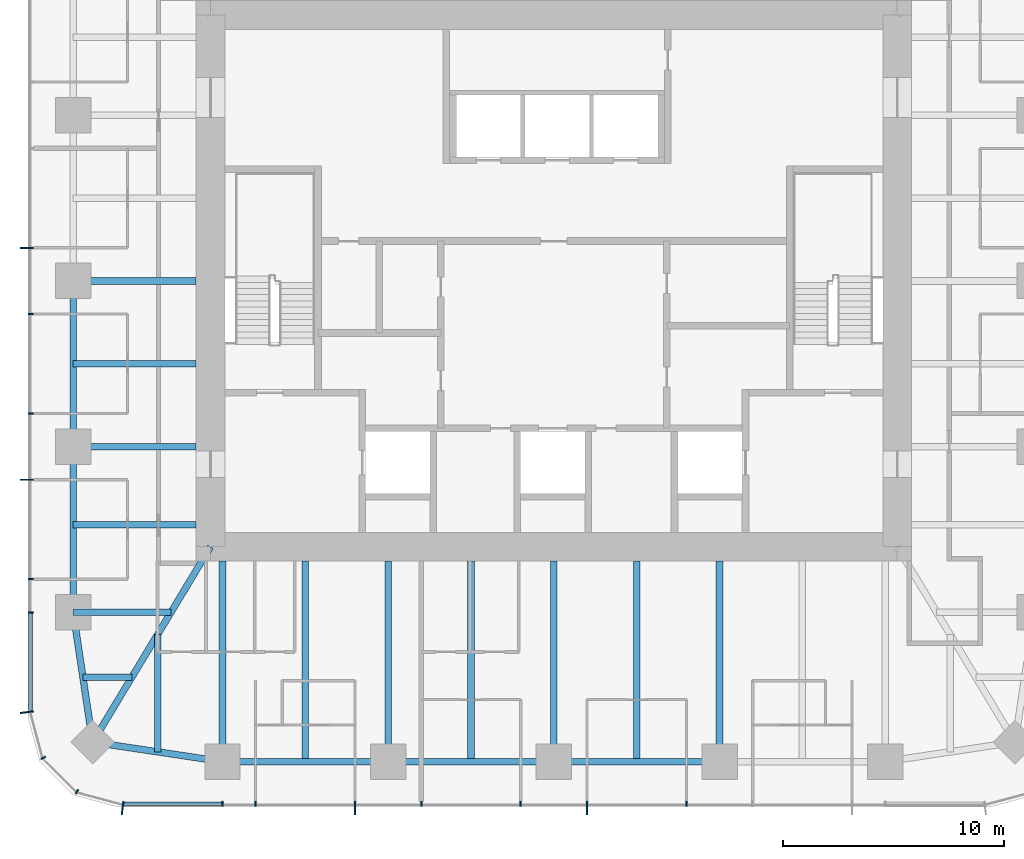
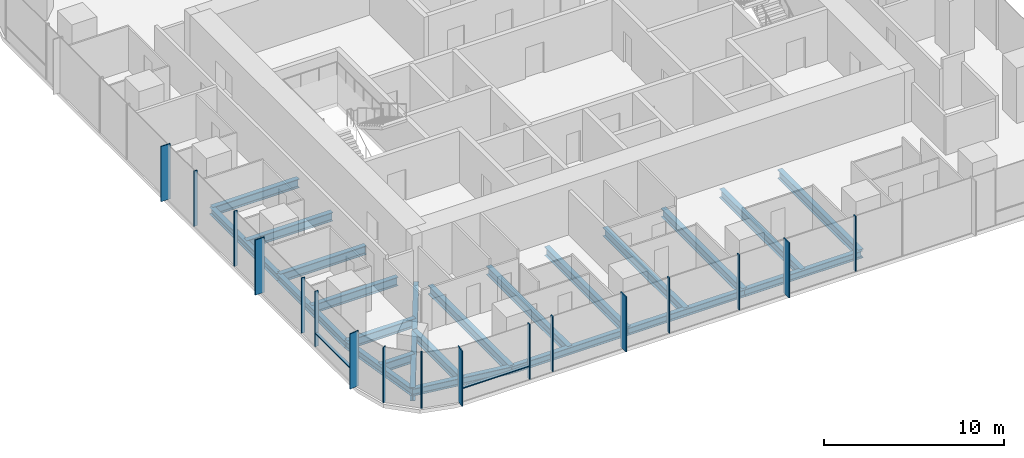
# One storey, part 2 of 12: 22 beams, 19 members, 3 elements without a shape of their own.
"""IFC4 building model written with IfcOpenShell, lengths in metres."""

from ifc_helpers import new_model, si_unit, direction, frame, origin, origin_2d, place, context, subcontext, project, spatial, rectangle, i_section, extrude, material, material_profile, profile_set, type_object, element, aggregate, save


model = new_model("IFC4")

# Units and contexts
model_context = context("Model", 3, precision=1e-05, world=origin(), true_north=direction((0.0, 1.0)))
body_context = subcontext(model_context, "Body", "Model", "MODEL_VIEW")
ifc_project = project(units=[si_unit("LENGTHUNIT", "METRE"), si_unit("AREAUNIT", "SQUARE_METRE"), si_unit("VOLUMEUNIT", "CUBIC_METRE"), si_unit("PLANEANGLEUNIT", "RADIAN"), si_unit("MASSUNIT", "GRAM", prefix="KILO")], contexts=[model_context])

# Site, building, storey
site_placement = place(None, origin())
site = spatial("IfcSite", under=ifc_project, at=site_placement, CompositionType="ELEMENT")
building_placement = place(site_placement, origin())
building = spatial("IfcBuilding", under=site, at=building_placement, Name="Khuree Lantern Residences", CompositionType="ELEMENT")
storey_placement = place(building_placement, frame((0.0, 0.0, 300.75)))
storey = spatial("IfcBuildingStorey", under=building, at=storey_placement, Name="L75", CompositionType="ELEMENT", Elevation=300.75)

# Beams
ifc_material_1 = material(Name="Steel S355", Category="steel")
ifc_material_profile_1 = material_profile(ifc_material_1, i_section(OverallWidth=0.300048828125, OverallDepth=0.590087890625, WebThickness=0.012939453125, FlangeThickness=0.02490234375, FilletRadius=0.027099609375, at=origin_2d()), Name="HE 600 A")
ifc_profile_set_1 = profile_set([ifc_material_profile_1], Name="Steel S355")
beam_type_1 = type_object("IfcBeamType", Name="B-42 SECONDARY BEAM HE 600 A", PredefinedType="BEAM", material=ifc_profile_set_1)
for number, where, z_axis, x_axis, name in (
    (1, (3.739990234375, -21.699951171875, -0.544921875), (0.0, 1.0, 0.0), (-1.0, 0.0, 0.0), "Secondary beam S3"),
    (2, (-3.739990234375, -21.699951171875, -0.544921875), (0.0, 1.0, 0.0), (-1.0, 0.0, 0.0), "Secondary beam S4"),
    (3, (-11.219970703125, -21.699951171875, -0.544921875), (0.0, 1.0, 0.0), (-1.0, 0.0, 0.0), "Secondary beam S5"),
):
    element("IfcBeam", number, at=place(storey_placement, frame(where, z_axis=z_axis, x_axis=x_axis)), inside=storey, type_object=beam_type_1, Name=name, PredefinedType="BEAM", context=body_context, shape_type="SweptSolid", body=[
        extrude(i_section(OverallWidth=0.300048828125, OverallDepth=0.590087890625, WebThickness=0.012939453125, FlangeThickness=0.02490234375, FilletRadius=0.027099609375, at=origin_2d()), origin(), (0.0, 0.0, 1.0), 9.050048828125),
    ])
beam_1_placement = place(storey_placement, frame((-17.890625, -21.2607421875, -0.544921875), z_axis=(0.0, 1.0, 0.0), x_axis=(-1.0, 0.0, 0.0)))
element("IfcBeam", 4, at=beam_1_placement, inside=storey, type_object=beam_type_1, Name="Secondary beam S6", PredefinedType="BEAM", context=body_context, shape_type="SweptSolid", body=[
    extrude(i_section(OverallWidth=0.300048828125, OverallDepth=0.590087890625, WebThickness=0.012939453125, FlangeThickness=0.02490234375, FilletRadius=0.027099609375, at=origin_2d()), origin(), (0.0, 0.0, 1.0), 5.297607421875),
])
beam_2_placement = place(storey_placement, frame((-21.2607421875, -17.890625, -0.544921875), z_axis=(1.0, 0.0, 0.0), x_axis=(0.0, 1.0, 0.0)))
element("IfcBeam", 5, at=beam_2_placement, inside=storey, type_object=beam_type_1, Name="Secondary beam W1", PredefinedType="BEAM", context=body_context, shape_type="SweptSolid", body=[
    extrude(i_section(OverallWidth=0.300048828125, OverallDepth=0.590087890625, WebThickness=0.012939453125, FlangeThickness=0.02490234375, FilletRadius=0.027099609375, at=origin_2d()), origin(), (0.0, 0.0, 1.0), 2.207275390625),
])
for number, where, z_axis, x_axis, name in (
    (6, (-21.699951171875, -11.0, -0.544921875), (1.0, 0.0, 0.0), (0.0, 1.0, 0.0), "Secondary beam W2"),
    (7, (-21.699951171875, -3.739990234375, -0.544921875), (1.0, 0.0, 0.0), (0.0, 1.0, 0.0), "Secondary beam W3"),
):
    element("IfcBeam", number, at=place(storey_placement, frame(where, z_axis=z_axis, x_axis=x_axis)), inside=storey, type_object=beam_type_1, Name=name, PredefinedType="BEAM", context=body_context, shape_type="SweptSolid", body=[
        extrude(i_section(OverallWidth=0.300048828125, OverallDepth=0.590087890625, WebThickness=0.012939453125, FlangeThickness=0.02490234375, FilletRadius=0.027099609375, at=origin_2d()), origin(), (0.0, 0.0, 1.0), 5.550048828125),
    ])
ifc_material_profile_2 = material_profile(ifc_material_1, i_section(OverallWidth=0.300048828125, OverallDepth=0.489990234375, WebThickness=0.011962890625, FlangeThickness=0.02294921875, FilletRadius=0.027099609375, at=origin_2d()), Name="HE 500 A")
ifc_profile_set_2 = profile_set([ifc_material_profile_2], Name="Steel S355")
beam_type_2 = type_object("IfcBeamType", Name="E-42 SPANDREL BEAM HE 500 A", PredefinedType="SPANDREL", material=ifc_profile_set_2)
for number, where, z_axis, x_axis, name in (
    (8, (7.47998046875, -21.699951171875, -0.4951171875), (-1.0, 0.0, 0.0), (0.0, -1.0, 0.0), "Spandrel beam S3"),
    (9, (0.0, -21.699951171875, -0.4951171875), (-1.0, 0.0, 0.0), (0.0, -1.0, 0.0), "Spandrel beam S4"),
    (10, (-7.47998046875, -21.699951171875, -0.4951171875), (-1.0, 0.0, 0.0), (0.0, -1.0, 0.0), "Spandrel beam S5"),
):
    element("IfcBeam", number, at=place(storey_placement, frame(where, z_axis=z_axis, x_axis=x_axis)), inside=storey, type_object=beam_type_2, Name=name, PredefinedType="SPANDREL", context=body_context, shape_type="SweptSolid", body=[
        extrude(i_section(OverallWidth=0.300048828125, OverallDepth=0.489990234375, WebThickness=0.011962890625, FlangeThickness=0.02294921875, FilletRadius=0.027099609375, at=origin_2d()), origin(), (0.0, 0.0, 1.0), 7.47998046875),
    ])
for number, where, z_axis, x_axis, name in (
    (11, (-14.9599609375, -21.699951171875, -0.4951171875), (-0.988949643299, 0.148251822985, 0.0), (-0.148251822985, -0.988949643299, 0.0), "Spandrel beam S6"),
    (12, (-20.8212890625, -20.8212890625, -0.4951171875), (-0.148251822985, 0.988949643299, 0.0), (-0.988949643299, -0.148251822985, 0.0), "Spandrel beam W1"),
):
    element("IfcBeam", number, at=place(storey_placement, frame(where, z_axis=z_axis, x_axis=x_axis)), inside=storey, type_object=beam_type_2, Name=name, PredefinedType="SPANDREL", context=body_context, shape_type="SweptSolid", body=[
        extrude(i_section(OverallWidth=0.300048828125, OverallDepth=0.489990234375, WebThickness=0.011962890625, FlangeThickness=0.02294921875, FilletRadius=0.027099609375, at=origin_2d()), origin(), (0.0, 0.0, 1.0), 5.9267578125),
    ])
for number, where, z_axis, x_axis, name in (
    (13, (-21.699951171875, -14.9599609375, -0.4951171875), (0.0, 1.0, 0.0), (-1.0, 0.0, 0.0), "Spandrel beam W2"),
    (14, (-21.699951171875, -7.47998046875, -0.4951171875), (0.0, 1.0, 0.0), (-1.0, 0.0, 0.0), "Spandrel beam W3"),
):
    element("IfcBeam", number, at=place(storey_placement, frame(where, z_axis=z_axis, x_axis=x_axis)), inside=storey, type_object=beam_type_2, Name=name, PredefinedType="SPANDREL", context=body_context, shape_type="SweptSolid", body=[
        extrude(i_section(OverallWidth=0.300048828125, OverallDepth=0.489990234375, WebThickness=0.011962890625, FlangeThickness=0.02294921875, FilletRadius=0.027099609375, at=origin_2d()), origin(), (0.0, 0.0, 1.0), 7.47998046875),
    ])

# Curtain wall, members
ifc_material_2 = material(Name="Bronze anodised aluminium", Category="aluminium")
curtain_wall_type_1 = type_object("IfcCurtainWallType", Name="CW-T1 TOWER FACE CURTAIN WALL", PredefinedType="USERDEFINED", material=ifc_material_2)
curtain_wall_1_placement = place(storey_placement, origin())
curtain_wall_1 = element("IfcCurtainWall", 15, at=curtain_wall_1_placement, inside=storey, type_object=curtain_wall_type_1, Name="L75 WEST FACE CURTAIN WALL", ObjectType="Stick-built curtain wall", PredefinedType="USERDEFINED")
ifc_material_profile_3 = material_profile(ifc_material_2, rectangle(XDim=0.06494140625, YDim=0.60009765625, at=origin_2d()), Name="F1 65X600")
ifc_profile_set_3 = profile_set([ifc_material_profile_3], Name="Bronze anodised aluminium")
member_type_1 = type_object("IfcMemberType", Name="F1 BRONZE FIN MULLION TOWER 65X600", PredefinedType="MULLION", material=ifc_profile_set_3)
member_1_placement = place(storey_placement, frame((-23.800048828125, 1.49609375, 0.0), z_axis=(0.0, 0.0, 1.0), x_axis=(0.0, -1.0, 0.0)))
member_1 = element("IfcMember", 16, at=member_1_placement, type_object=member_type_1, Name="L75 WEST FACE FIN MULLION 37", PredefinedType="MULLION", context=body_context, shape_type="SweptSolid", body=[
    extrude(rectangle(XDim=0.06494140625, YDim=0.60009765625, at=origin_2d()), origin(), (0.0, 0.0, 1.0), 3.75),
])
member_2_placement = place(storey_placement, frame((-23.800048828125, -8.97607421875, 0.0), z_axis=(0.0, 0.0, 1.0), x_axis=(0.0, -1.0, 0.0)))
member_2 = element("IfcMember", 17, at=member_2_placement, type_object=member_type_1, Name="L75 WEST FACE FIN MULLION 40", PredefinedType="MULLION", context=body_context, shape_type="SweptSolid", body=[
    extrude(rectangle(XDim=0.06494140625, YDim=0.60009765625, at=origin_2d()), origin(), (0.0, 0.0, 1.0), 3.75),
])

# Curtain wall, member
curtain_wall_type_2 = type_object("IfcCurtainWallType", Name="CW-T2 TOWER CORNER CURTAIN WALL", PredefinedType="USERDEFINED", material=ifc_material_2)
curtain_wall_2_placement = place(storey_placement, origin())
curtain_wall_2 = element("IfcCurtainWall", 18, at=curtain_wall_2_placement, inside=storey, type_object=curtain_wall_type_2, Name="L75 SOUTH-WEST CORNER CURTAIN WALL", ObjectType="Faceted corner curtain wall", PredefinedType="USERDEFINED")
member_3_placement = place(storey_placement, frame((-23.800048828125, -19.4697265625, 0.0), z_axis=(0.0, 0.0, 1.0), x_axis=(0.130526125236, -0.991444870192, 0.0)))
member_3 = element("IfcMember", 19, at=member_3_placement, type_object=member_type_1, Name="L75 SOUTH-WEST CORNER FIN MULLION 43", PredefinedType="MULLION", context=body_context, shape_type="SweptSolid", body=[
    extrude(rectangle(XDim=0.06494140625, YDim=0.60009765625, at=origin_2d()), origin(), (0.0, 0.0, 1.0), 3.75),
])

# Curtain wall, members
curtain_wall_3_placement = place(storey_placement, origin())
curtain_wall_3 = element("IfcCurtainWall", 20, at=curtain_wall_3_placement, inside=storey, type_object=curtain_wall_type_1, Name="L75 SOUTH FACE CURTAIN WALL", ObjectType="Stick-built curtain wall", PredefinedType="USERDEFINED")
member_4_placement = place(storey_placement, frame((-19.4697265625, -23.800048828125, 0.0), z_axis=(0.0, 0.0, 1.0), x_axis=(0.991444870192, -0.130526125236, 0.0)))
member_4 = element("IfcMember", 21, at=member_4_placement, type_object=member_type_1, Name="L75 SOUTH FACE FIN MULLION 46", PredefinedType="MULLION", context=body_context, shape_type="SweptSolid", body=[
    extrude(rectangle(XDim=0.06494140625, YDim=0.60009765625, at=origin_2d()), origin(), (0.0, 0.0, 1.0), 3.75),
])
member_5_placement = place(storey_placement, frame((-8.97607421875, -23.800048828125, 0.0), z_axis=(0.0, 0.0, 1.0), x_axis=(1.0, 0.0, 0.0)))
member_5 = element("IfcMember", 22, at=member_5_placement, type_object=member_type_1, Name="L75 SOUTH FACE FIN MULLION 49", PredefinedType="MULLION", context=body_context, shape_type="SweptSolid", body=[
    extrude(rectangle(XDim=0.06494140625, YDim=0.60009765625, at=origin_2d()), origin(), (0.0, 0.0, 1.0), 3.75),
])
member_6_placement = place(storey_placement, frame((1.49609375, -23.800048828125, 0.0), z_axis=(0.0, 0.0, 1.0), x_axis=(1.0, 0.0, 0.0)))
member_6 = element("IfcMember", 23, at=member_6_placement, type_object=member_type_1, Name="L75 SOUTH FACE FIN MULLION 52", PredefinedType="MULLION", context=body_context, shape_type="SweptSolid", body=[
    extrude(rectangle(XDim=0.06494140625, YDim=0.60009765625, at=origin_2d()), origin(), (0.0, 0.0, 1.0), 3.75),
])

# Beams
ifc_material_profile_4 = material_profile(ifc_material_1, i_section(OverallWidth=0.300048828125, OverallDepth=0.60009765625, WebThickness=0.015380859375, FlangeThickness=0.030029296875, FilletRadius=0.027099609375, at=origin_2d()), Name="HE 600 B")
ifc_profile_set_4 = profile_set([ifc_material_profile_4], Name="Steel S355")
beam_type_3 = type_object("IfcBeamType", Name="G-42 GIRDER HE 600 B", PredefinedType="BEAM", material=ifc_profile_set_4)
for number, where, z_axis, x_axis, name in (
    (24, (7.47998046875, -21.699951171875, -0.550048828125), (0.0, 1.0, 0.0), (-1.0, 0.0, 0.0), "Girder S2"),
    (25, (0.0, -21.699951171875, -0.550048828125), (0.0, 1.0, 0.0), (-1.0, 0.0, 0.0), "Girder S3"),
    (26, (-7.47998046875, -21.699951171875, -0.550048828125), (0.0, 1.0, 0.0), (-1.0, 0.0, 0.0), "Girder S4"),
    (27, (-14.9599609375, -21.699951171875, -0.550048828125), (0.0, 1.0, 0.0), (-1.0, 0.0, 0.0), "Girder S5"),
):
    element("IfcBeam", number, at=place(storey_placement, frame(where, z_axis=z_axis, x_axis=x_axis)), inside=storey, type_object=beam_type_3, Name=name, PredefinedType="BEAM", context=body_context, shape_type="SweptSolid", body=[
        extrude(i_section(OverallWidth=0.300048828125, OverallDepth=0.60009765625, WebThickness=0.015380859375, FlangeThickness=0.030029296875, FilletRadius=0.027099609375, at=origin_2d()), origin(), (0.0, 0.0, 1.0), 9.050048828125),
    ])
beam_3_placement = place(storey_placement, frame((-21.699951171875, -14.9599609375, -0.550048828125), z_axis=(1.0, 0.0, 0.0), x_axis=(0.0, 1.0, 0.0)))
element("IfcBeam", 28, at=beam_3_placement, inside=storey, type_object=beam_type_3, Name="Girder W1", PredefinedType="BEAM", context=body_context, shape_type="SweptSolid", body=[
    extrude(i_section(OverallWidth=0.300048828125, OverallDepth=0.60009765625, WebThickness=0.015380859375, FlangeThickness=0.030029296875, FilletRadius=0.027099609375, at=origin_2d()), origin(), (0.0, 0.0, 1.0), 4.414306640625),
])
for number, where, z_axis, x_axis, name in (
    (29, (-21.699951171875, -7.47998046875, -0.550048828125), (1.0, 0.0, 0.0), (0.0, 1.0, 0.0), "Girder W2"),
    (30, (-21.699951171875, 0.0, -0.550048828125), (1.0, 0.0, 0.0), (0.0, 1.0, 0.0), "Girder W3"),
):
    element("IfcBeam", number, at=place(storey_placement, frame(where, z_axis=z_axis, x_axis=x_axis)), inside=storey, type_object=beam_type_3, Name=name, PredefinedType="BEAM", context=body_context, shape_type="SweptSolid", body=[
        extrude(i_section(OverallWidth=0.300048828125, OverallDepth=0.60009765625, WebThickness=0.015380859375, FlangeThickness=0.030029296875, FilletRadius=0.027099609375, at=origin_2d()), origin(), (0.0, 0.0, 1.0), 5.550048828125),
    ])
ifc_material_profile_5 = material_profile(ifc_material_1, i_section(OverallWidth=0.300048828125, OverallDepth=0.89990234375, WebThickness=0.0185546875, FlangeThickness=0.034912109375, FilletRadius=0.030029296875, at=origin_2d()), Name="HE 900 B")
ifc_profile_set_5 = profile_set([ifc_material_profile_5], Name="Steel S355")
beam_type_4 = type_object("IfcBeamType", Name="GD-42 CORNER GIRDER HE 900 B", PredefinedType="BEAM", material=ifc_profile_set_5)
beam_4_placement = place(storey_placement, frame((-20.8212890625, -20.8212890625, -0.699951171875), z_axis=(0.516529577604, 0.856269347495, 0.0), x_axis=(-0.856269347495, 0.516529577604, 0.0)))
element("IfcBeam", 31, at=beam_4_placement, inside=storey, type_object=beam_type_4, Name="Corner girder SW", PredefinedType="BEAM", context=body_context, shape_type="SweptSolid", body=[
    extrude(i_section(OverallWidth=0.300048828125, OverallDepth=0.89990234375, WebThickness=0.0185546875, FlangeThickness=0.034912109375, FilletRadius=0.030029296875, at=origin_2d()), origin(), (0.0, 0.0, 1.0), 10.302001953125),
])

# Member
ifc_material_profile_6 = material_profile(ifc_material_2, rectangle(XDim=0.06494140625, YDim=0.219970703125, at=origin_2d()), Name="M1 65X220")
ifc_profile_set_6 = profile_set([ifc_material_profile_6], Name="Bronze anodised aluminium")
member_type_2 = type_object("IfcMemberType", Name="M1 BRONZE MULLION TOWER 65X220", PredefinedType="MULLION", material=ifc_profile_set_6)
member_7_placement = place(storey_placement, frame((-23.610107421875, -1.49609375, 0.0), z_axis=(0.0, 0.0, 1.0), x_axis=(0.0, -1.0, 0.0)))
member_7 = element("IfcMember", 32, at=member_7_placement, type_object=member_type_2, Name="L75 WEST FACE MULLION 38", PredefinedType="MULLION", context=body_context, shape_type="SweptSolid", body=[
    extrude(rectangle(XDim=0.06494140625, YDim=0.219970703125, at=origin_2d()), origin(), (0.0, 0.0, 1.0), 3.75),
])

member_8_placement = place(storey_placement, frame((-23.610107421875, -5.98388671875, 0.0), z_axis=(0.0, 0.0, 1.0), x_axis=(0.0, -1.0, 0.0)))
member_8 = element("IfcMember", 33, at=member_8_placement, type_object=member_type_2, Name="L75 WEST FACE MULLION 39", PredefinedType="MULLION", context=body_context, shape_type="SweptSolid", body=[
    extrude(rectangle(XDim=0.06494140625, YDim=0.219970703125, at=origin_2d()), origin(), (0.0, 0.0, 1.0), 3.75),
])

member_9_placement = place(storey_placement, frame((-23.610107421875, -13.464111328125, 0.0), z_axis=(0.0, 0.0, 1.0), x_axis=(0.0, -1.0, 0.0)))
member_9 = element("IfcMember", 34, at=member_9_placement, type_object=member_type_2, Name="L75 WEST FACE MULLION 41", PredefinedType="MULLION", context=body_context, shape_type="SweptSolid", body=[
    extrude(rectangle(XDim=0.06494140625, YDim=0.219970703125, at=origin_2d()), origin(), (0.0, 0.0, 1.0), 3.75),
])

member_10_placement = place(storey_placement, frame((-23.610107421875, -14.9599609375, 0.0), z_axis=(0.0, 0.0, 1.0), x_axis=(0.0, -1.0, 0.0)))
member_10 = element("IfcMember", 35, at=member_10_placement, type_object=member_type_2, Name="L75 WEST FACE MULLION 42", PredefinedType="MULLION", context=body_context, shape_type="SweptSolid", body=[
    extrude(rectangle(XDim=0.06494140625, YDim=0.219970703125, at=origin_2d()), origin(), (0.0, 0.0, 1.0), 3.75),
])

member_11_placement = place(storey_placement, frame((-23.052734375, -21.530029296875, 0.0), z_axis=(0.0, 0.0, 1.0), x_axis=(0.49999994149, -0.866025437565, 0.0)))
member_11 = element("IfcMember", 36, at=member_11_placement, type_object=member_type_2, Name="L75 SOUTH-WEST CORNER MULLION 44", PredefinedType="MULLION", context=body_context, shape_type="SweptSolid", body=[
    extrude(rectangle(XDim=0.06494140625, YDim=0.219970703125, at=origin_2d()), origin(), (0.0, 0.0, 1.0), 3.75),
])

member_12_placement = place(storey_placement, frame((-21.530029296875, -23.052734375, 0.0), z_axis=(0.0, 0.0, 1.0), x_axis=(0.866025437565, -0.49999994149, 0.0)))
member_12 = element("IfcMember", 37, at=member_12_placement, type_object=member_type_2, Name="L75 SOUTH-WEST CORNER MULLION 45", PredefinedType="MULLION", context=body_context, shape_type="SweptSolid", body=[
    extrude(rectangle(XDim=0.06494140625, YDim=0.219970703125, at=origin_2d()), origin(), (0.0, 0.0, 1.0), 3.75),
])

aggregate(curtain_wall_2, [member_3, member_11, member_12])

member_13_placement = place(storey_placement, frame((-14.9599609375, -23.610107421875, 0.0), z_axis=(0.0, 0.0, 1.0), x_axis=(1.0, 0.0, 0.0)))
member_13 = element("IfcMember", 38, at=member_13_placement, type_object=member_type_2, Name="L75 SOUTH FACE MULLION 47", PredefinedType="MULLION", context=body_context, shape_type="SweptSolid", body=[
    extrude(rectangle(XDim=0.06494140625, YDim=0.219970703125, at=origin_2d()), origin(), (0.0, 0.0, 1.0), 3.75),
])

member_14_placement = place(storey_placement, frame((-13.464111328125, -23.610107421875, 0.0), z_axis=(0.0, 0.0, 1.0), x_axis=(1.0, 0.0, 0.0)))
member_14 = element("IfcMember", 39, at=member_14_placement, type_object=member_type_2, Name="L75 SOUTH FACE MULLION 48", PredefinedType="MULLION", context=body_context, shape_type="SweptSolid", body=[
    extrude(rectangle(XDim=0.06494140625, YDim=0.219970703125, at=origin_2d()), origin(), (0.0, 0.0, 1.0), 3.75),
])

member_15_placement = place(storey_placement, frame((-5.98388671875, -23.610107421875, 0.0), z_axis=(0.0, 0.0, 1.0), x_axis=(1.0, 0.0, 0.0)))
member_15 = element("IfcMember", 40, at=member_15_placement, type_object=member_type_2, Name="L75 SOUTH FACE MULLION 50", PredefinedType="MULLION", context=body_context, shape_type="SweptSolid", body=[
    extrude(rectangle(XDim=0.06494140625, YDim=0.219970703125, at=origin_2d()), origin(), (0.0, 0.0, 1.0), 3.75),
])

member_16_placement = place(storey_placement, frame((-1.49609375, -23.610107421875, 0.0), z_axis=(0.0, 0.0, 1.0), x_axis=(1.0, 0.0, 0.0)))
member_16 = element("IfcMember", 41, at=member_16_placement, type_object=member_type_2, Name="L75 SOUTH FACE MULLION 51", PredefinedType="MULLION", context=body_context, shape_type="SweptSolid", body=[
    extrude(rectangle(XDim=0.06494140625, YDim=0.219970703125, at=origin_2d()), origin(), (0.0, 0.0, 1.0), 3.75),
])

member_17_placement = place(storey_placement, frame((5.98388671875, -23.610107421875, 0.0), z_axis=(0.0, 0.0, 1.0), x_axis=(1.0, 0.0, 0.0)))
member_17 = element("IfcMember", 42, at=member_17_placement, type_object=member_type_2, Name="L75 SOUTH FACE MULLION 53", PredefinedType="MULLION", context=body_context, shape_type="SweptSolid", body=[
    extrude(rectangle(XDim=0.06494140625, YDim=0.219970703125, at=origin_2d()), origin(), (0.0, 0.0, 1.0), 3.75),
])

ifc_material_profile_7 = material_profile(ifc_material_2, rectangle(XDim=0.179931640625, YDim=0.06494140625, at=origin_2d()), Name="T1 180X65")
ifc_profile_set_7 = profile_set([ifc_material_profile_7], Name="Bronze anodised aluminium")
member_type_3 = type_object("IfcMemberType", Name="TRANSOM T1 TOWER 180X65", PredefinedType="USERDEFINED", material=ifc_profile_set_7)
member_18_placement = place(storey_placement, frame((-23.6201171875, -14.992431640625, 0.89990234375), z_axis=(0.0, -1.0, 0.0), x_axis=(1.0, 0.0, 0.0)))
member_18 = element("IfcMember", 43, at=member_18_placement, type_object=member_type_3, Name="L75 WEST FACE TRANSOM 42.1", ObjectType="Transom", PredefinedType="USERDEFINED", context=body_context, shape_type="SweptSolid", body=[
    extrude(rectangle(XDim=0.179931640625, YDim=0.06494140625, at=origin_2d()), origin(), (0.0, 0.0, 1.0), 4.408935546875),
])

aggregate(curtain_wall_1, [member_1, member_7, member_8, member_2, member_9, member_10, member_18])

member_19_placement = place(storey_placement, frame((-19.4013671875, -23.6201171875, 0.89990234375), z_axis=(1.0, 0.0, 0.0), x_axis=(0.0, 1.0, 0.0)))
member_19 = element("IfcMember", 44, at=member_19_placement, type_object=member_type_3, Name="L75 SOUTH FACE TRANSOM 46.1", ObjectType="Transom", PredefinedType="USERDEFINED", context=body_context, shape_type="SweptSolid", body=[
    extrude(rectangle(XDim=0.179931640625, YDim=0.06494140625, at=origin_2d()), origin(), (0.0, 0.0, 1.0), 4.408935546875),
])

aggregate(curtain_wall_3, [member_4, member_13, member_14, member_5, member_15, member_16, member_6, member_17, member_19])

save(model, "model.ifc")
